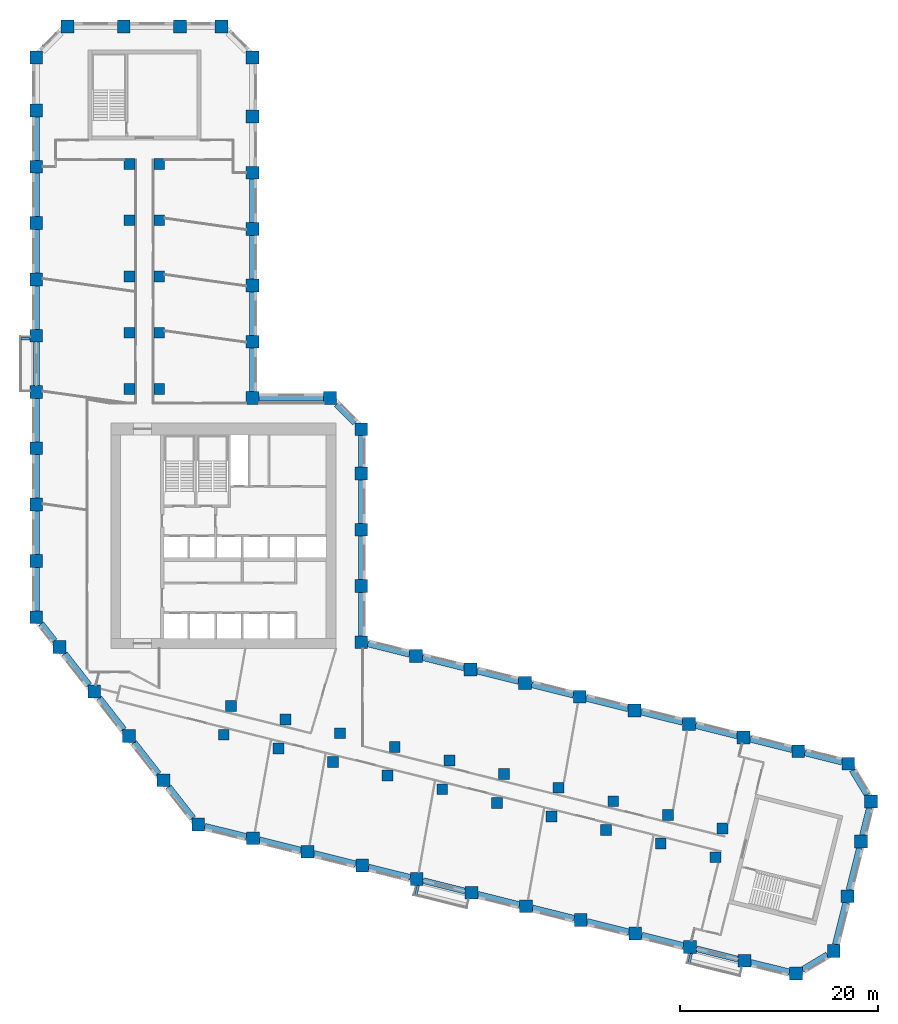
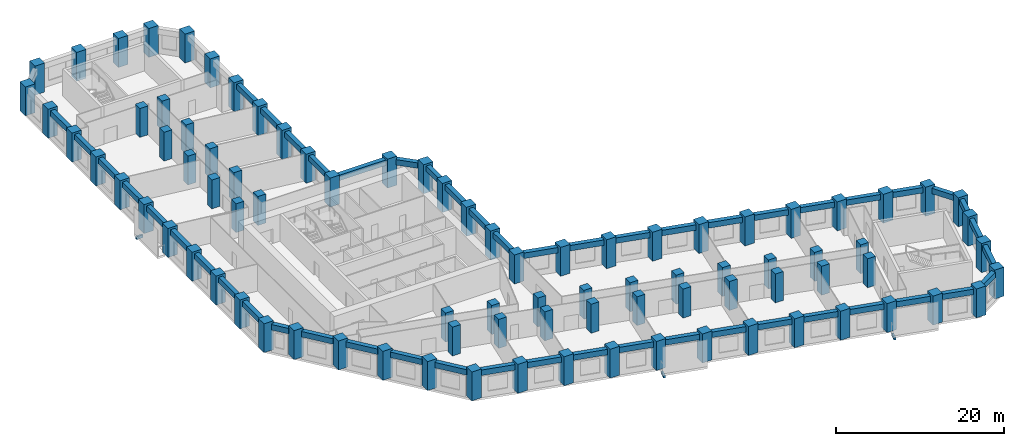
# One storey, part 1 of 10: 87 columns, 52 beams.
"""IFC4 building model written with IfcOpenShell, lengths in metres."""

from ifc_helpers import new_model, si_unit, direction, frame, origin, origin_2d, place, context, subcontext, project, spatial, rectangle, extrude, material, material_profile, profile_set, type_object, element, save


model = new_model("IFC4")

# Units and contexts
model_context = context("Model", 3, precision=1e-05, world=origin(), true_north=direction((0.0, 1.0)))
body_context = subcontext(model_context, "Body", "Model", "MODEL_VIEW")
ifc_project = project(units=[si_unit("LENGTHUNIT", "METRE"), si_unit("AREAUNIT", "SQUARE_METRE"), si_unit("VOLUMEUNIT", "CUBIC_METRE"), si_unit("PLANEANGLEUNIT", "RADIAN"), si_unit("MASSUNIT", "GRAM", prefix="KILO")], contexts=[model_context])

# Site, building, storey
site_placement = place(None, origin())
site = spatial("IfcSite", under=ifc_project, at=site_placement, CompositionType="ELEMENT")
building_placement = place(site_placement, origin())
building = spatial("IfcBuilding", under=site, at=building_placement, Name="Meshkara Civic Tower", CompositionType="ELEMENT")
storey_placement = place(building_placement, frame((0.0, 0.0, 109.800048828125)))
storey = spatial("IfcBuildingStorey", under=building, at=storey_placement, Name="L24", CompositionType="ELEMENT", Elevation=109.800048828125)

# Columns
ifc_material_1 = material(Name="Concrete C70", Category="concrete")
ifc_material_profile_1 = material_profile(ifc_material_1, rectangle(XDim=1.10009765625, YDim=1.10009765625, at=origin_2d()))
ifc_profile_set_1 = profile_set([ifc_material_profile_1], Name="Concrete C70")
column_type_1 = type_object("IfcColumnType", Name="Interior column RC 1100x1100 C70", PredefinedType="COLUMN", material=ifc_profile_set_1)
for number, where, z_axis, x_axis, name in (
    (1, (9.89990234375, 40.35009765625, 0.0), (0.0, 0.0, 1.0), (1.0, 0.0, 0.0), "Column SA1-04 L24"),
    (2, (9.89990234375, 46.050048828125, 0.0), (0.0, 0.0, 1.0), (1.0, 0.0, 0.0), "Column SA1-05 L24"),
    (3, (9.89990234375, 51.75, 0.0), (0.0, 0.0, 1.0), (1.0, 0.0, 0.0), "Column SA1-06 L24"),
    (4, (9.89990234375, 57.449951171875, 0.0), (0.0, 0.0, 1.0), (1.0, 0.0, 0.0), "Column SA1-07 L24"),
    (5, (9.89990234375, 63.14990234375, 0.0), (0.0, 0.0, 1.0), (1.0, 0.0, 0.0), "Column SA1-08 L24"),
    (6, (12.89990234375, 40.35009765625, 0.0), (0.0, 0.0, 1.0), (1.0, 0.0, 0.0), "Column SA2-04 L24"),
    (7, (12.89990234375, 46.050048828125, 0.0), (0.0, 0.0, 1.0), (1.0, 0.0, 0.0), "Column SA2-05 L24"),
    (8, (12.89990234375, 51.75, 0.0), (0.0, 0.0, 1.0), (1.0, 0.0, 0.0), "Column SA2-06 L24"),
    (9, (12.89990234375, 57.449951171875, 0.0), (0.0, 0.0, 1.0), (1.0, 0.0, 0.0), "Column SA2-07 L24"),
    (10, (12.89990234375, 63.14990234375, 0.0), (0.0, 0.0, 1.0), (1.0, 0.0, 0.0), "Column SA2-08 L24"),
    (11, (19.424072265625, 5.360107421875, 0.0), (0.0, 0.0, 1.0), (1.0, 0.0, 0.0), "Column SB1-00 L24"),
    (12, (24.9541015625, 3.98095703125, 0.0), (0.0, 0.0, 1.0), (1.0, 0.0, 0.0), "Column SB1-01 L24"),
    (13, (30.485107421875, 2.60205078125, 0.0), (0.0, 0.0, 1.0), (1.0, 0.0, 0.0), "Column SB1-02 L24"),
    (14, (36.01611328125, 1.222900390625, 0.0), (0.0, 0.0, 1.0), (1.0, 0.0, 0.0), "Column SB1-03 L24"),
    (15, (41.5458984375, -0.156005859375, 0.0), (0.0, 0.0, 1.0), (1.0, 0.0, 0.0), "Column SB1-04 L24"),
    (16, (47.076904296875, -1.534912109375, 0.0), (0.0, 0.0, 1.0), (1.0, 0.0, 0.0), "Column SB1-05 L24"),
    (17, (52.60791015625, -2.9140625, 0.0), (0.0, 0.0, 1.0), (1.0, 0.0, 0.0), "Column SB1-06 L24"),
    (18, (58.138916015625, -4.2919921875, 0.0), (0.0, 0.0, 1.0), (1.0, 0.0, 0.0), "Column SB1-07 L24"),
    (19, (63.6689453125, -5.6708984375, 0.0), (0.0, 0.0, 1.0), (1.0, 0.0, 0.0), "Column SB1-08 L24"),
    (20, (69.199951171875, -7.050048828125, 0.0), (0.0, 0.0, 1.0), (1.0, 0.0, 0.0), "Column SB1-09 L24"),
    (21, (20.14892578125, 8.27099609375, 0.0), (0.0, 0.0, 1.0), (1.0, 0.0, 0.0), "Column SB2-00 L24"),
    (22, (25.679931640625, 6.89208984375, 0.0), (0.0, 0.0, 1.0), (1.0, 0.0, 0.0), "Column SB2-01 L24"),
    (23, (31.2109375, 5.512939453125, 0.0), (0.0, 0.0, 1.0), (1.0, 0.0, 0.0), "Column SB2-02 L24"),
    (24, (36.741943359375, 4.134033203125, 0.0), (0.0, 0.0, 1.0), (1.0, 0.0, 0.0), "Column SB2-03 L24"),
    (25, (42.27197265625, 2.7548828125, 0.0), (0.0, 0.0, 1.0), (1.0, 0.0, 0.0), "Column SB2-04 L24"),
    (26, (47.802978515625, 1.3759765625, 0.0), (0.0, 0.0, 1.0), (1.0, 0.0, 0.0), "Column SB2-05 L24"),
    (27, (53.333984375, -0.0029296875, 0.0), (0.0, 0.0, 1.0), (1.0, 0.0, 0.0), "Column SB2-06 L24"),
    (28, (58.864013671875, -1.382080078125, 0.0), (0.0, 0.0, 1.0), (1.0, 0.0, 0.0), "Column SB2-07 L24"),
    (29, (64.39501953125, -2.760986328125, 0.0), (0.0, 0.0, 1.0), (1.0, 0.0, 0.0), "Column SB2-08 L24"),
    (30, (69.926025390625, -4.139892578125, 0.0), (0.0, 0.0, 1.0), (1.0, 0.0, 0.0), "Column SB2-09 L24"),
):
    element("IfcColumn", number, at=place(storey_placement, frame(where, z_axis=z_axis, x_axis=x_axis)), inside=storey, type_object=column_type_1, Name=name, PredefinedType="COLUMN", context=body_context, shape_type="SweptSolid", body=[
        extrude(rectangle(XDim=1.10009765625, YDim=1.10009765625, at=origin_2d()), origin(), (0.0, 0.0, 1.0), 4.199951171875),
    ])
ifc_material_2 = material(Name="Concrete C70", Category="concrete")
ifc_material_profile_2 = material_profile(ifc_material_2, rectangle(XDim=1.300048828125, YDim=1.300048828125, at=origin_2d()))
ifc_profile_set_2 = profile_set([ifc_material_profile_2], Name="Concrete C70")
column_type_2 = type_object("IfcColumnType", Name="Perimeter column RC 1300x1300 C70", PredefinedType="COLUMN", material=ifc_profile_set_2)
for number, where, z_axis, x_axis, name in (
    (31, (33.35009765625, 14.718994140625, 0.0), (0.0, 0.0, 1.0), (1.0, 0.0, 0.0), "Column HE00 L24"),
    (32, (33.35009765625, 20.4189453125, 0.0), (0.0, 0.0, 1.0), (1.0, 0.0, 0.0), "Column HE01 L24"),
    (33, (33.35009765625, 26.118896484375, 0.0), (0.0, 0.0, 1.0), (1.0, 0.0, 0.0), "Column HE02 L24"),
    (34, (33.35009765625, 31.819091796875, 0.0), (0.0, 0.0, 1.0), (1.0, 0.0, 0.0), "Column HE03 L24"),
    (35, (33.35009765625, 36.2939453125, 0.0), (0.0, 0.0, 1.0), (1.0, 0.0, 0.0), "Column HEE L24"),
    (36, (30.194091796875, 39.449951171875, 0.0), (0.0, 0.0, 1.0), (1.0, 0.0, 0.0), "Column HCeE L24"),
    (37, (22.35009765625, 39.449951171875, 0.0), (0.0, 0.0, 1.0), (1.0, 0.0, 0.0), "Column HN00 L24"),
    (38, (22.35009765625, 45.14990234375, 0.0), (0.0, 0.0, 1.0), (1.0, 0.0, 0.0), "Column AE01 L24"),
    (39, (22.35009765625, 50.85009765625, 0.0), (0.0, 0.0, 1.0), (1.0, 0.0, 0.0), "Column AE02 L24"),
    (40, (22.35009765625, 56.550048828125, 0.0), (0.0, 0.0, 1.0), (1.0, 0.0, 0.0), "Column AE03 L24"),
    (41, (22.35009765625, 62.25, 0.0), (0.0, 0.0, 1.0), (1.0, 0.0, 0.0), "Column AE04 L24"),
    (42, (22.35009765625, 67.949951171875, 0.0), (0.0, 0.0, 1.0), (1.0, 0.0, 0.0), "Column AE05 L24"),
    (43, (22.35009765625, 73.9140625, 0.0), (0.0, 0.0, 1.0), (1.0, 0.0, 0.0), "Column AEEP1 L24"),
    (44, (19.194091796875, 77.070068359375, 0.0), (0.0, 0.0, 1.0), (1.0, 0.0, 0.0), "Column ATiEP1 L24"),
    (45, (3.60595703125, 77.070068359375, 0.0), (0.0, 0.0, 1.0), (1.0, 0.0, 0.0), "Column AT00-P1 L24"),
    (46, (9.305908203125, 77.070068359375, 0.0), (0.0, 0.0, 1.0), (1.0, 0.0, 0.0), "Column AT01-P1 L24"),
    (47, (15.006103515625, 77.070068359375, 0.0), (0.0, 0.0, 1.0), (1.0, 0.0, 0.0), "Column AT02-P1 L24"),
    (48, (0.449951171875, 73.9140625, 0.0), (0.0, 0.0, 1.0), (1.0, 0.0, 0.0), "Column ATo00-P1 L24"),
    (49, (0.449951171875, 17.2548828125, 0.0), (0.0, 0.0, 1.0), (1.0, 0.0, 0.0), "Column AW00 L24"),
    (50, (0.449951171875, 22.955078125, 0.0), (0.0, 0.0, 1.0), (1.0, 0.0, 0.0), "Column AW01 L24"),
    (51, (0.449951171875, 28.655029296875, 0.0), (0.0, 0.0, 1.0), (1.0, 0.0, 0.0), "Column AW02 L24"),
    (52, (0.449951171875, 34.35498046875, 0.0), (0.0, 0.0, 1.0), (1.0, 0.0, 0.0), "Column AW03 L24"),
    (53, (0.449951171875, 40.054931640625, 0.0), (0.0, 0.0, 1.0), (1.0, 0.0, 0.0), "Column AW04 L24"),
    (54, (0.449951171875, 45.7548828125, 0.0), (0.0, 0.0, 1.0), (1.0, 0.0, 0.0), "Column AW05 L24"),
    (55, (0.449951171875, 51.455078125, 0.0), (0.0, 0.0, 1.0), (1.0, 0.0, 0.0), "Column AW06 L24"),
    (56, (0.449951171875, 57.155029296875, 0.0), (0.0, 0.0, 1.0), (1.0, 0.0, 0.0), "Column AW07 L24"),
    (57, (0.449951171875, 62.85498046875, 0.0), (0.0, 0.0, 1.0), (1.0, 0.0, 0.0), "Column AW08 L24"),
    (58, (0.449951171875, 68.554931640625, 0.0), (0.0, 0.0, 1.0), (1.0, 0.0, 0.0), "Column AW09 L24"),
    (59, (16.85107421875, -3.738037109375, 0.0), (0.0, 0.0, 1.0), (1.0, 0.0, 0.0), "Column BOW00 L24"),
    (60, (13.342041015625, 0.75390625, 0.0), (0.0, 0.0, 1.0), (1.0, 0.0, 0.0), "Column BOW01 L24"),
    (61, (9.8330078125, 5.2451171875, 0.0), (0.0, 0.0, 1.0), (1.0, 0.0, 0.0), "Column BOW02 L24"),
    (62, (6.322998046875, 9.737060546875, 0.0), (0.0, 0.0, 1.0), (1.0, 0.0, 0.0), "Column BOW03 L24"),
    (63, (2.81396484375, 14.22900390625, 0.0), (0.0, 0.0, 1.0), (1.0, 0.0, 0.0), "Column BOW04 L24"),
    (64, (22.382080078125, -5.116943359375, 0.0), (0.0, 0.0, 1.0), (1.0, 0.0, 0.0), "Column BS01 L24"),
    (65, (27.912109375, -6.49609375, 0.0), (0.0, 0.0, 1.0), (1.0, 0.0, 0.0), "Column BS02 L24"),
    (66, (33.443115234375, -7.875, 0.0), (0.0, 0.0, 1.0), (1.0, 0.0, 0.0), "Column BS03 L24"),
    (67, (38.97412109375, -9.2529296875, 0.0), (0.0, 0.0, 1.0), (1.0, 0.0, 0.0), "Column BS04-P1 L24"),
    (68, (44.5048828125, -10.632080078125, 0.0), (0.0, 0.0, 1.0), (1.0, 0.0, 0.0), "Column BS05 L24"),
    (69, (50.034912109375, -12.010986328125, 0.0), (0.0, 0.0, 1.0), (1.0, 0.0, 0.0), "Column BS06 L24"),
    (70, (55.56591796875, -13.389892578125, 0.0), (0.0, 0.0, 1.0), (1.0, 0.0, 0.0), "Column BS07 L24"),
    (71, (61.096923828125, -14.76904296875, 0.0), (0.0, 0.0, 1.0), (1.0, 0.0, 0.0), "Column BS08 L24"),
    (72, (66.626953125, -16.14794921875, 0.0), (0.0, 0.0, 1.0), (1.0, 0.0, 0.0), "Column BS09 L24"),
    (73, (72.157958984375, -17.527099609375, 0.0), (0.0, 0.0, 1.0), (1.0, 0.0, 0.0), "Column BS10 L24"),
    (74, (77.35791015625, -18.822998046875, 0.0), (0.0, 0.0, 1.0), (1.0, 0.0, 0.0), "Column BSEP1 L24"),
    (75, (81.18310546875, -16.52392578125, 0.0), (0.0, 0.0, 1.0), (1.0, 0.0, 0.0), "Column BToEP1 L24"),
    (76, (82.56201171875, -10.992919921875, 0.0), (0.0, 0.0, 1.0), (1.0, 0.0, 0.0), "Column BT01-P1 L24"),
    (77, (83.94091796875, -5.462890625, 0.0), (0.0, 0.0, 1.0), (1.0, 0.0, 0.0), "Column BT02-P1 L24"),
    (78, (84.9541015625, -1.39990234375, 0.0), (0.0, 0.0, 1.0), (1.0, 0.0, 0.0), "Column BTEP1 L24"),
    (79, (82.655029296875, 2.425048828125, 0.0), (0.0, 0.0, 1.0), (1.0, 0.0, 0.0), "Column BTi00-P1 L24"),
    (80, (38.881103515625, 13.340087890625, 0.0), (0.0, 0.0, 1.0), (1.0, 0.0, 0.0), "Column BN01 L24"),
    (81, (44.410888671875, 11.9609375, 0.0), (0.0, 0.0, 1.0), (1.0, 0.0, 0.0), "Column BN02 L24"),
    (82, (49.94189453125, 10.58203125, 0.0), (0.0, 0.0, 1.0), (1.0, 0.0, 0.0), "Column BN03 L24"),
    (83, (55.472900390625, 9.202880859375, 0.0), (0.0, 0.0, 1.0), (1.0, 0.0, 0.0), "Column BN04 L24"),
    (84, (61.0029296875, 7.823974609375, 0.0), (0.0, 0.0, 1.0), (1.0, 0.0, 0.0), "Column BN05 L24"),
    (85, (66.533935546875, 6.445068359375, 0.0), (0.0, 0.0, 1.0), (1.0, 0.0, 0.0), "Column BN06 L24"),
    (86, (72.06494140625, 5.06591796875, 0.0), (0.0, 0.0, 1.0), (1.0, 0.0, 0.0), "Column BN07 L24"),
    (87, (77.594970703125, 3.68701171875, 0.0), (0.0, 0.0, 1.0), (1.0, 0.0, 0.0), "Column BN08 L24"),
):
    element("IfcColumn", number, at=place(storey_placement, frame(where, z_axis=z_axis, x_axis=x_axis)), inside=storey, type_object=column_type_2, Name=name, PredefinedType="COLUMN", context=body_context, shape_type="SweptSolid", body=[
        extrude(rectangle(XDim=1.300048828125, YDim=1.300048828125, at=origin_2d()), origin(), (0.0, 0.0, 1.0), 4.199951171875),
    ])

# Beams
ifc_material_3 = material(Name="Concrete C50", Category="concrete")
ifc_material_profile_3 = material_profile(ifc_material_3, rectangle(XDim=0.25, YDim=0.39990234375, at=origin_2d()))
ifc_profile_set_3 = profile_set([ifc_material_profile_3], Name="Concrete C50")
beam_type_1 = type_object("IfcBeamType", Name="Balcony bracket beam RC 250x400 C50", PredefinedType="BEAM", material=ifc_profile_set_3)
beam_1_placement = place(storey_placement, frame((-0.195068359375, 45.455078125, -0.5), z_axis=(-1.0, 0.0, 0.0), x_axis=(0.0, -1.0, 0.0)))
element("IfcBeam", 88, at=beam_1_placement, inside=storey, type_object=beam_type_1, Name="Balcony bracket beam", PredefinedType="BEAM", context=body_context, shape_type="SweptSolid", body=[
    extrude(rectangle(XDim=0.25, YDim=0.39990234375, at=origin_2d()), origin(), (0.0, 0.0, 1.0), 0.905029296875),
])
beam_2_placement = place(storey_placement, frame((39.1220703125, -9.89794921875, -0.5), z_axis=(-0.24169832891, -0.970351440357, 0.0), x_axis=(0.970351440357, -0.24169832891, 0.0)))
element("IfcBeam", 89, at=beam_2_placement, inside=storey, type_object=beam_type_1, Name="Balcony bracket beam", PredefinedType="BEAM", context=body_context, shape_type="SweptSolid", body=[
    extrude(rectangle(XDim=0.25, YDim=0.39990234375, at=origin_2d()), origin(), (0.0, 0.0, 1.0), 0.960693359375),
])
beam_3_placement = place(storey_placement, frame((66.77490234375, -16.79296875, -0.5), z_axis=(-0.241697450497, -0.970351659154, 0.0), x_axis=(0.970351659154, -0.241697450497, 0.0)))
element("IfcBeam", 90, at=beam_3_placement, inside=storey, type_object=beam_type_1, Name="Balcony bracket beam", PredefinedType="BEAM", context=body_context, shape_type="SweptSolid", body=[
    extrude(rectangle(XDim=0.25, YDim=0.39990234375, at=origin_2d()), origin(), (0.0, 0.0, 1.0), 0.959716796875),
])
ifc_material_4 = material(Name="Concrete C70", Category="concrete")
ifc_material_profile_4 = material_profile(ifc_material_4, rectangle(XDim=0.60009765625, YDim=0.800048828125, at=origin_2d()))
ifc_profile_set_4 = profile_set([ifc_material_profile_4], Name="Concrete C70")
beam_type_2 = type_object("IfcBeamType", Name="Spandrel beam RC 600x800 C70", PredefinedType="BEAM", material=ifc_profile_set_4)
beam_4_placement = place(storey_placement, frame((76.949951171875, 3.847900390625, 3.5), z_axis=(-0.970293497888, 0.241930832999, 0.0), x_axis=(-0.241930832999, -0.970293497888, 0.0)))
element("IfcBeam", 91, at=beam_4_placement, inside=storey, type_object=beam_type_2, Name="Spandrel beam BN07-BN08", PredefinedType="BEAM", context=body_context, shape_type="SweptSolid", body=[
    extrude(rectangle(XDim=0.60009765625, YDim=0.800048828125, at=origin_2d()), origin(), (0.0, 0.0, 1.0), 4.36962890625),
])
for number, where, z_axis, x_axis, name in (
    (92, (71.419921875, 5.226806640625, 3.5), (-0.970293463154, 0.241930972304, 0.0), (-0.241930972304, -0.970293463154, 0.0), "Spandrel beam BN06-BN07"),
    (93, (65.888916015625, 6.605712890625, 3.5), (-0.970293463154, 0.241930972304, 0.0), (-0.241930972304, -0.970293463154, 0.0), "Spandrel beam BN05-BN06"),
):
    element("IfcBeam", number, at=place(storey_placement, frame(where, z_axis=z_axis, x_axis=x_axis)), inside=storey, type_object=beam_type_2, Name=name, PredefinedType="BEAM", context=body_context, shape_type="SweptSolid", body=[
        extrude(rectangle(XDim=0.60009765625, YDim=0.800048828125, at=origin_2d()), origin(), (0.0, 0.0, 1.0), 4.37060546875),
    ])
beam_5_placement = place(storey_placement, frame((60.35791015625, 7.98486328125, 3.5), z_axis=(-0.970293497888, 0.241930832999, 0.0), x_axis=(-0.241930832999, -0.970293497888, 0.0)))
element("IfcBeam", 94, at=beam_5_placement, inside=storey, type_object=beam_type_2, Name="Spandrel beam BN04-BN05", PredefinedType="BEAM", context=body_context, shape_type="SweptSolid", body=[
    extrude(rectangle(XDim=0.60009765625, YDim=0.800048828125, at=origin_2d()), origin(), (0.0, 0.0, 1.0), 4.36962890625),
])
for number, where, z_axis, x_axis, name in (
    (95, (54.827880859375, 9.36376953125, 3.5), (-0.970293463154, 0.241930972304, 0.0), (-0.241930972304, -0.970293463154, 0.0), "Spandrel beam BN03-BN04"),
    (96, (49.296875, 10.742919921875, 3.5), (-0.970293463154, 0.241930972304, 0.0), (-0.241930972304, -0.970293463154, 0.0), "Spandrel beam BN02-BN03"),
):
    element("IfcBeam", number, at=place(storey_placement, frame(where, z_axis=z_axis, x_axis=x_axis)), inside=storey, type_object=beam_type_2, Name=name, PredefinedType="BEAM", context=body_context, shape_type="SweptSolid", body=[
        extrude(rectangle(XDim=0.60009765625, YDim=0.800048828125, at=origin_2d()), origin(), (0.0, 0.0, 1.0), 4.37060546875),
    ])
beam_6_placement = place(storey_placement, frame((43.765869140625, 12.121826171875, 3.5), z_axis=(-0.970280380753, 0.241983434817, 0.0), x_axis=(-0.241983434817, -0.970280380753, 0.0)))
element("IfcBeam", 97, at=beam_6_placement, inside=storey, type_object=beam_type_2, Name="Spandrel beam BN01-BN02", PredefinedType="BEAM", context=body_context, shape_type="SweptSolid", body=[
    extrude(rectangle(XDim=0.60009765625, YDim=0.800048828125, at=origin_2d()), origin(), (0.0, 0.0, 1.0), 4.36962890625),
])
beam_7_placement = place(storey_placement, frame((38.23583984375, 13.500732421875, 3.5), z_axis=(-0.970293463154, 0.241930972304, 0.0), x_axis=(-0.241930972304, -0.970293463154, 0.0)))
element("IfcBeam", 98, at=beam_7_placement, inside=storey, type_object=beam_type_2, Name="Spandrel beam BN01-HE00", PredefinedType="BEAM", context=body_context, shape_type="SweptSolid", body=[
    extrude(rectangle(XDim=0.60009765625, YDim=0.800048828125, at=origin_2d()), origin(), (0.0, 0.0, 1.0), 4.37060546875),
])
beam_8_placement = place(storey_placement, frame((33.35009765625, 15.364013671875, 3.5), z_axis=(0.0, 1.0, 0.0), x_axis=(-1.0, 0.0, 0.0)))
element("IfcBeam", 99, at=beam_8_placement, inside=storey, type_object=beam_type_2, Name="Spandrel beam HE00-HE01", PredefinedType="BEAM", context=body_context, shape_type="SweptSolid", body=[
    extrude(rectangle(XDim=0.60009765625, YDim=0.800048828125, at=origin_2d()), origin(), (0.0, 0.0, 1.0), 4.409912109375),
])
for number, where, z_axis, x_axis, name in (
    (100, (33.35009765625, 21.06396484375, 3.5), (0.0, 1.0, 0.0), (-1.0, 0.0, 0.0), "Spandrel beam HE01-HE02"),
    (101, (33.35009765625, 26.763916015625, 3.5), (0.0, 1.0, 0.0), (-1.0, 0.0, 0.0), "Spandrel beam HE02-HE03"),
):
    element("IfcBeam", number, at=place(storey_placement, frame(where, z_axis=z_axis, x_axis=x_axis)), inside=storey, type_object=beam_type_2, Name=name, PredefinedType="BEAM", context=body_context, shape_type="SweptSolid", body=[
        extrude(rectangle(XDim=0.60009765625, YDim=0.800048828125, at=origin_2d()), origin(), (0.0, 0.0, 1.0), 4.41015625),
    ])
beam_9_placement = place(storey_placement, frame((33.35009765625, 32.464111328125, 3.5), z_axis=(0.0, 1.0, 0.0), x_axis=(-1.0, 0.0, 0.0)))
element("IfcBeam", 102, at=beam_9_placement, inside=storey, type_object=beam_type_2, Name="Spandrel beam HE03-HEE", PredefinedType="BEAM", context=body_context, shape_type="SweptSolid", body=[
    extrude(rectangle(XDim=0.60009765625, YDim=0.800048828125, at=origin_2d()), origin(), (0.0, 0.0, 1.0), 3.184814453125),
])
beam_10_placement = place(storey_placement, frame((32.70361328125, 36.9404296875, 3.5), z_axis=(-0.707106781187, 0.707106781187, 0.0), x_axis=(-0.707106781187, -0.707106781187, 0.0)))
element("IfcBeam", 103, at=beam_10_placement, inside=storey, type_object=beam_type_2, Name="Spandrel beam HCeE-HEE", PredefinedType="BEAM", context=body_context, shape_type="SweptSolid", body=[
    extrude(rectangle(XDim=0.60009765625, YDim=0.800048828125, at=origin_2d()), origin(), (0.0, 0.0, 1.0), 2.634765625),
])
beam_11_placement = place(storey_placement, frame((29.549072265625, 39.449951171875, 3.5), z_axis=(-1.0, 0.0, 0.0), x_axis=(0.0, -1.0, 0.0)))
element("IfcBeam", 104, at=beam_11_placement, inside=storey, type_object=beam_type_2, Name="Spandrel beam HCeE-HN00", PredefinedType="BEAM", context=body_context, shape_type="SweptSolid", body=[
    extrude(rectangle(XDim=0.60009765625, YDim=0.800048828125, at=origin_2d()), origin(), (0.0, 0.0, 1.0), 6.553955078125),
])
beam_12_placement = place(storey_placement, frame((22.35009765625, 40.094970703125, 3.5), z_axis=(0.0, 1.0, 0.0), x_axis=(-1.0, 0.0, 0.0)))
element("IfcBeam", 105, at=beam_12_placement, inside=storey, type_object=beam_type_2, Name="Spandrel beam AE01-HN00", PredefinedType="BEAM", context=body_context, shape_type="SweptSolid", body=[
    extrude(rectangle(XDim=0.60009765625, YDim=0.800048828125, at=origin_2d()), origin(), (0.0, 0.0, 1.0), 4.409912109375),
])
beam_13_placement = place(storey_placement, frame((22.35009765625, 45.794921875, 3.5), z_axis=(0.0, 1.0, 0.0), x_axis=(-1.0, 0.0, 0.0)))
element("IfcBeam", 106, at=beam_13_placement, inside=storey, type_object=beam_type_2, Name="Spandrel beam AE01-AE02", PredefinedType="BEAM", context=body_context, shape_type="SweptSolid", body=[
    extrude(rectangle(XDim=0.60009765625, YDim=0.800048828125, at=origin_2d()), origin(), (0.0, 0.0, 1.0), 4.41015625),
])
for number, where, z_axis, x_axis, name in (
    (107, (22.35009765625, 51.4951171875, 3.5), (0.0, 1.0, 0.0), (-1.0, 0.0, 0.0), "Spandrel beam AE02-AE03"),
    (108, (22.35009765625, 57.195068359375, 3.5), (0.0, 1.0, 0.0), (-1.0, 0.0, 0.0), "Spandrel beam AE03-AE04"),
    (109, (0.449951171875, 67.909912109375, 3.5), (0.0, -1.0, 0.0), (1.0, 0.0, 0.0), "Spandrel beam AW08-AW09"),
    (110, (0.449951171875, 62.2099609375, 3.5), (0.0, -1.0, 0.0), (1.0, 0.0, 0.0), "Spandrel beam AW07-AW08"),
    (111, (0.449951171875, 56.510009765625, 3.5), (0.0, -1.0, 0.0), (1.0, 0.0, 0.0), "Spandrel beam AW06-AW07"),
):
    element("IfcBeam", number, at=place(storey_placement, frame(where, z_axis=z_axis, x_axis=x_axis)), inside=storey, type_object=beam_type_2, Name=name, PredefinedType="BEAM", context=body_context, shape_type="SweptSolid", body=[
        extrude(rectangle(XDim=0.60009765625, YDim=0.800048828125, at=origin_2d()), origin(), (0.0, 0.0, 1.0), 4.409912109375),
    ])
for number, where, z_axis, x_axis, name in (
    (112, (0.449951171875, 50.81005859375, 3.5), (0.0, -1.0, 0.0), (1.0, 0.0, 0.0), "Spandrel beam AW05-AW06"),
    (113, (0.449951171875, 45.110107421875, 3.5), (0.0, -1.0, 0.0), (1.0, 0.0, 0.0), "Spandrel beam AW04-AW05"),
):
    element("IfcBeam", number, at=place(storey_placement, frame(where, z_axis=z_axis, x_axis=x_axis)), inside=storey, type_object=beam_type_2, Name=name, PredefinedType="BEAM", context=body_context, shape_type="SweptSolid", body=[
        extrude(rectangle(XDim=0.60009765625, YDim=0.800048828125, at=origin_2d()), origin(), (0.0, 0.0, 1.0), 4.41015625),
    ])
for number, where, z_axis, x_axis, name in (
    (114, (0.449951171875, 39.409912109375, 3.5), (0.0, -1.0, 0.0), (1.0, 0.0, 0.0), "Spandrel beam AW03-AW04"),
    (115, (0.449951171875, 33.7099609375, 3.5), (0.0, -1.0, 0.0), (1.0, 0.0, 0.0), "Spandrel beam AW02-AW03"),
    (116, (0.449951171875, 28.010009765625, 3.5), (0.0, -1.0, 0.0), (1.0, 0.0, 0.0), "Spandrel beam AW01-AW02"),
):
    element("IfcBeam", number, at=place(storey_placement, frame(where, z_axis=z_axis, x_axis=x_axis)), inside=storey, type_object=beam_type_2, Name=name, PredefinedType="BEAM", context=body_context, shape_type="SweptSolid", body=[
        extrude(rectangle(XDim=0.60009765625, YDim=0.800048828125, at=origin_2d()), origin(), (0.0, 0.0, 1.0), 4.409912109375),
    ])
beam_14_placement = place(storey_placement, frame((0.449951171875, 22.31005859375, 3.5), z_axis=(0.0, -1.0, 0.0), x_axis=(1.0, 0.0, 0.0)))
element("IfcBeam", 117, at=beam_14_placement, inside=storey, type_object=beam_type_2, Name="Spandrel beam AW00-AW01", PredefinedType="BEAM", context=body_context, shape_type="SweptSolid", body=[
    extrude(rectangle(XDim=0.60009765625, YDim=0.800048828125, at=origin_2d()), origin(), (0.0, 0.0, 1.0), 4.41015625),
])
beam_15_placement = place(storey_placement, frame((0.95458984375, 16.60888671875, 3.5), z_axis=(0.61568279769, -0.787994094286, 0.0), x_axis=(0.787994094286, 0.61568279769, 0.0)))
element("IfcBeam", 118, at=beam_15_placement, inside=storey, type_object=beam_type_2, Name="Spandrel beam AW00-BOW04", PredefinedType="BEAM", context=body_context, shape_type="SweptSolid", body=[
    extrude(rectangle(XDim=0.60009765625, YDim=0.800048828125, at=origin_2d()), origin(), (0.0, 0.0, 1.0), 2.200439453125),
])
beam_16_placement = place(storey_placement, frame((3.318603515625, 13.5830078125, 3.5), z_axis=(0.615612539127, -0.788048984309, 0.0), x_axis=(0.788048984309, 0.615612539127, 0.0)))
element("IfcBeam", 119, at=beam_16_placement, inside=storey, type_object=beam_type_2, Name="Spandrel beam BOW03-BOW04", PredefinedType="BEAM", context=body_context, shape_type="SweptSolid", body=[
    extrude(rectangle(XDim=0.60009765625, YDim=0.800048828125, at=origin_2d()), origin(), (0.0, 0.0, 1.0), 4.060546875),
])
beam_17_placement = place(storey_placement, frame((6.827880859375, 9.0908203125, 3.5), z_axis=(0.615716376188, -0.787967857272, 0.0), x_axis=(0.787967857272, 0.615716376188, 0.0)))
element("IfcBeam", 120, at=beam_17_placement, inside=storey, type_object=beam_type_2, Name="Spandrel beam BOW02-BOW03", PredefinedType="BEAM", context=body_context, shape_type="SweptSolid", body=[
    extrude(rectangle(XDim=0.60009765625, YDim=0.800048828125, at=origin_2d()), origin(), (0.0, 0.0, 1.0), 4.060791015625),
])
beam_18_placement = place(storey_placement, frame((10.337890625, 4.598876953125, 3.5), z_axis=(0.61568372316, -0.787993371188, 0.0), x_axis=(0.787993371188, 0.61568372316, 0.0)))
element("IfcBeam", 121, at=beam_18_placement, inside=storey, type_object=beam_type_2, Name="Spandrel beam BOW01-BOW02", PredefinedType="BEAM", context=body_context, shape_type="SweptSolid", body=[
    extrude(rectangle(XDim=0.60009765625, YDim=0.800048828125, at=origin_2d()), origin(), (0.0, 0.0, 1.0), 4.059326171875),
])
beam_19_placement = place(storey_placement, frame((13.8466796875, 0.10791015625, 3.5), z_axis=(0.615604368214, -0.78805536724, 0.0), x_axis=(0.78805536724, 0.615604368214, 0.0)))
element("IfcBeam", 122, at=beam_19_placement, inside=storey, type_object=beam_type_2, Name="Spandrel beam BOW00-BOW01", PredefinedType="BEAM", context=body_context, shape_type="SweptSolid", body=[
    extrude(rectangle(XDim=0.60009765625, YDim=0.800048828125, at=origin_2d()), origin(), (0.0, 0.0, 1.0), 4.060302734375),
])
beam_20_placement = place(storey_placement, frame((17.49609375, -3.898681640625, 3.5), z_axis=(0.970280349033, -0.241983562004, 0.0), x_axis=(0.241983562004, 0.970280349033, 0.0)))
element("IfcBeam", 123, at=beam_20_placement, inside=storey, type_object=beam_type_2, Name="Spandrel beam BOW00-BS01", PredefinedType="BEAM", context=body_context, shape_type="SweptSolid", body=[
    extrude(rectangle(XDim=0.60009765625, YDim=0.800048828125, at=origin_2d()), origin(), (0.0, 0.0, 1.0), 4.37060546875),
])
beam_21_placement = place(storey_placement, frame((23.027099609375, -5.27783203125, 3.5), z_axis=(0.970280380753, -0.241983434817, 0.0), x_axis=(0.241983434817, 0.970280380753, 0.0)))
element("IfcBeam", 124, at=beam_21_placement, inside=storey, type_object=beam_type_2, Name="Spandrel beam BS01-BS02", PredefinedType="BEAM", context=body_context, shape_type="SweptSolid", body=[
    extrude(rectangle(XDim=0.60009765625, YDim=0.800048828125, at=origin_2d()), origin(), (0.0, 0.0, 1.0), 4.36962890625),
])
beam_22_placement = place(storey_placement, frame((28.55712890625, -6.65673828125, 3.5), z_axis=(0.970293463154, -0.241930972304, 0.0), x_axis=(0.241930972304, 0.970293463154, 0.0)))
element("IfcBeam", 125, at=beam_22_placement, inside=storey, type_object=beam_type_2, Name="Spandrel beam BS02-BS03", PredefinedType="BEAM", context=body_context, shape_type="SweptSolid", body=[
    extrude(rectangle(XDim=0.60009765625, YDim=0.800048828125, at=origin_2d()), origin(), (0.0, 0.0, 1.0), 4.37060546875),
])
beam_23_placement = place(storey_placement, frame((34.088134765625, -8.03564453125, 3.5), z_axis=(0.97033279054, -0.241773190412, 0.0), x_axis=(0.241773190412, 0.97033279054, 0.0)))
element("IfcBeam", 126, at=beam_23_placement, inside=storey, type_object=beam_type_2, Name="Spandrel beam BS03-BS04-P1", PredefinedType="BEAM", context=body_context, shape_type="SweptSolid", body=[
    extrude(rectangle(XDim=0.60009765625, YDim=0.800048828125, at=origin_2d()), origin(), (0.0, 0.0, 1.0), 4.370361328125),
])
beam_24_placement = place(storey_placement, frame((39.619140625, -9.413818359375, 3.5), z_axis=(0.970293463154, -0.241930972304, 0.0), x_axis=(0.241930972304, 0.970293463154, 0.0)))
element("IfcBeam", 127, at=beam_24_placement, inside=storey, type_object=beam_type_2, Name="Spandrel beam BS04-P1-BS05", PredefinedType="BEAM", context=body_context, shape_type="SweptSolid", body=[
    extrude(rectangle(XDim=0.60009765625, YDim=0.800048828125, at=origin_2d()), origin(), (0.0, 0.0, 1.0), 4.37060546875),
])
beam_25_placement = place(storey_placement, frame((45.150146484375, -10.79296875, 3.5), z_axis=(0.970293497888, -0.241930832999, 0.0), x_axis=(0.241930832999, 0.970293497888, 0.0)))
element("IfcBeam", 128, at=beam_25_placement, inside=storey, type_object=beam_type_2, Name="Spandrel beam BS05-BS06", PredefinedType="BEAM", context=body_context, shape_type="SweptSolid", body=[
    extrude(rectangle(XDim=0.60009765625, YDim=0.800048828125, at=origin_2d()), origin(), (0.0, 0.0, 1.0), 4.36962890625),
])
for number, where, z_axis, x_axis, name in (
    (129, (50.68017578125, -12.171875, 3.5), (0.970293463154, -0.241930972304, 0.0), (0.241930972304, 0.970293463154, 0.0), "Spandrel beam BS06-BS07"),
    (130, (56.211181640625, -13.55078125, 3.5), (0.970293463154, -0.241930972304, 0.0), (0.241930972304, 0.970293463154, 0.0), "Spandrel beam BS07-BS08"),
):
    element("IfcBeam", number, at=place(storey_placement, frame(where, z_axis=z_axis, x_axis=x_axis)), inside=storey, type_object=beam_type_2, Name=name, PredefinedType="BEAM", context=body_context, shape_type="SweptSolid", body=[
        extrude(rectangle(XDim=0.60009765625, YDim=0.800048828125, at=origin_2d()), origin(), (0.0, 0.0, 1.0), 4.37060546875),
    ])
beam_26_placement = place(storey_placement, frame((61.7421875, -14.929931640625, 3.5), z_axis=(0.970293497888, -0.241930832999, 0.0), x_axis=(0.241930832999, 0.970293497888, 0.0)))
element("IfcBeam", 131, at=beam_26_placement, inside=storey, type_object=beam_type_2, Name="Spandrel beam BS08-BS09", PredefinedType="BEAM", context=body_context, shape_type="SweptSolid", body=[
    extrude(rectangle(XDim=0.60009765625, YDim=0.800048828125, at=origin_2d()), origin(), (0.0, 0.0, 1.0), 4.36962890625),
])
beam_27_placement = place(storey_placement, frame((67.272216796875, -16.308837890625, 3.5), z_axis=(0.970293463154, -0.241930972304, 0.0), x_axis=(0.241930972304, 0.970293463154, 0.0)))
element("IfcBeam", 132, at=beam_27_placement, inside=storey, type_object=beam_type_2, Name="Spandrel beam BS09-BS10", PredefinedType="BEAM", context=body_context, shape_type="SweptSolid", body=[
    extrude(rectangle(XDim=0.60009765625, YDim=0.800048828125, at=origin_2d()), origin(), (0.0, 0.0, 1.0), 4.37060546875),
])
beam_28_placement = place(storey_placement, frame((72.802978515625, -17.687744140625, 3.5), z_axis=(0.970323993045, -0.241808495551, 0.0), x_axis=(0.241808495551, 0.970323993045, 0.0)))
element("IfcBeam", 133, at=beam_28_placement, inside=storey, type_object=beam_type_2, Name="Spandrel beam BS10-BSEP1", PredefinedType="BEAM", context=body_context, shape_type="SweptSolid", body=[
    extrude(rectangle(XDim=0.60009765625, YDim=0.800048828125, at=origin_2d()), origin(), (0.0, 0.0, 1.0), 4.029541015625),
])
beam_29_placement = place(storey_placement, frame((78.003662109375, -18.434814453125, 3.5), z_axis=(0.857121046107, 0.515115047655, 0.0), x_axis=(-0.515115047655, 0.857121046107, 0.0)))
element("IfcBeam", 134, at=beam_29_placement, inside=storey, type_object=beam_type_2, Name="Spandrel beam BSEP1-BToEP1", PredefinedType="BEAM", context=body_context, shape_type="SweptSolid", body=[
    extrude(rectangle(XDim=0.60009765625, YDim=0.800048828125, at=origin_2d()), origin(), (0.0, 0.0, 1.0), 2.9560546875),
])
beam_30_placement = place(storey_placement, frame((81.34375, -15.87890625, 3.5), z_axis=(0.241930972304, 0.970293463154, 0.0), x_axis=(-0.970293463154, 0.241930972304, 0.0)))
element("IfcBeam", 135, at=beam_30_placement, inside=storey, type_object=beam_type_2, Name="Spandrel beam BT01-P1-BToEP1", PredefinedType="BEAM", context=body_context, shape_type="SweptSolid", body=[
    extrude(rectangle(XDim=0.60009765625, YDim=0.800048828125, at=origin_2d()), origin(), (0.0, 0.0, 1.0), 4.37060546875),
])
beam_31_placement = place(storey_placement, frame((82.722900390625, -10.347900390625, 3.5), z_axis=(0.241930832999, 0.970293497888, 0.0), x_axis=(-0.970293497888, 0.241930832999, 0.0)))
element("IfcBeam", 136, at=beam_31_placement, inside=storey, type_object=beam_type_2, Name="Spandrel beam BT01-P1-BT02-P1", PredefinedType="BEAM", context=body_context, shape_type="SweptSolid", body=[
    extrude(rectangle(XDim=0.60009765625, YDim=0.800048828125, at=origin_2d()), origin(), (0.0, 0.0, 1.0), 4.36962890625),
])
beam_32_placement = place(storey_placement, frame((84.101806640625, -4.81787109375, 3.5), z_axis=(0.241952611346, 0.970288067464, 0.0), x_axis=(-0.970288067464, 0.241952611346, 0.0)))
element("IfcBeam", 137, at=beam_32_placement, inside=storey, type_object=beam_type_2, Name="Spandrel beam BT02-P1-BTEP1", PredefinedType="BEAM", context=body_context, shape_type="SweptSolid", body=[
    extrude(rectangle(XDim=0.60009765625, YDim=0.800048828125, at=origin_2d()), origin(), (0.0, 0.0, 1.0), 2.857666015625),
])
beam_33_placement = place(storey_placement, frame((84.56591796875, -0.75439453125, 3.5), z_axis=(-0.515115047655, 0.857121046107, 0.0), x_axis=(-0.857121046107, -0.515115047655, 0.0)))
element("IfcBeam", 138, at=beam_33_placement, inside=storey, type_object=beam_type_2, Name="Spandrel beam BTEP1-BTi00-P1", PredefinedType="BEAM", context=body_context, shape_type="SweptSolid", body=[
    extrude(rectangle(XDim=0.60009765625, YDim=0.800048828125, at=origin_2d()), origin(), (0.0, 0.0, 1.0), 2.9560546875),
])
beam_34_placement = place(storey_placement, frame((82.010009765625, 2.5859375, 3.5), z_axis=(-0.970282789967, 0.241973774392, 0.0), x_axis=(-0.241973774392, -0.970282789967, 0.0)))
element("IfcBeam", 139, at=beam_34_placement, inside=storey, type_object=beam_type_2, Name="Spandrel beam BN08-BTi00-P1", PredefinedType="BEAM", context=body_context, shape_type="SweptSolid", body=[
    extrude(rectangle(XDim=0.60009765625, YDim=0.800048828125, at=origin_2d()), origin(), (0.0, 0.0, 1.0), 3.885498046875),
])

save(model, "model.ifc")
